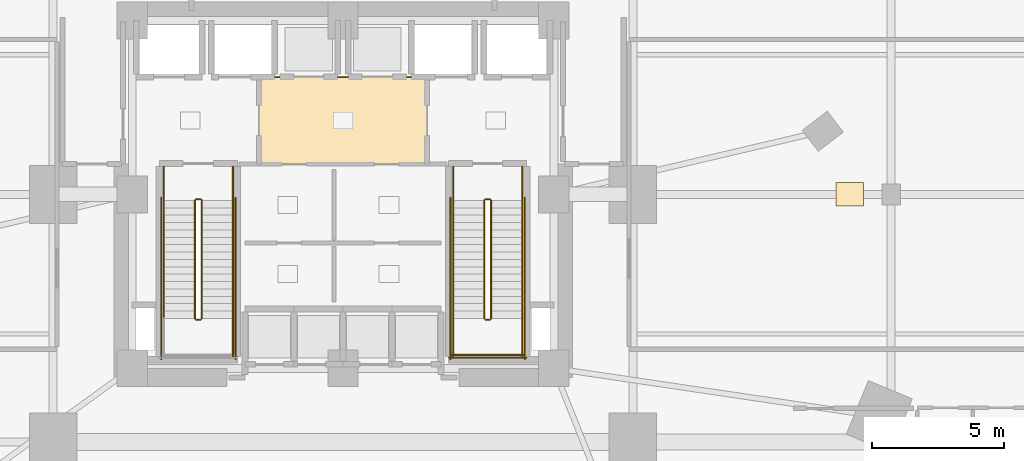
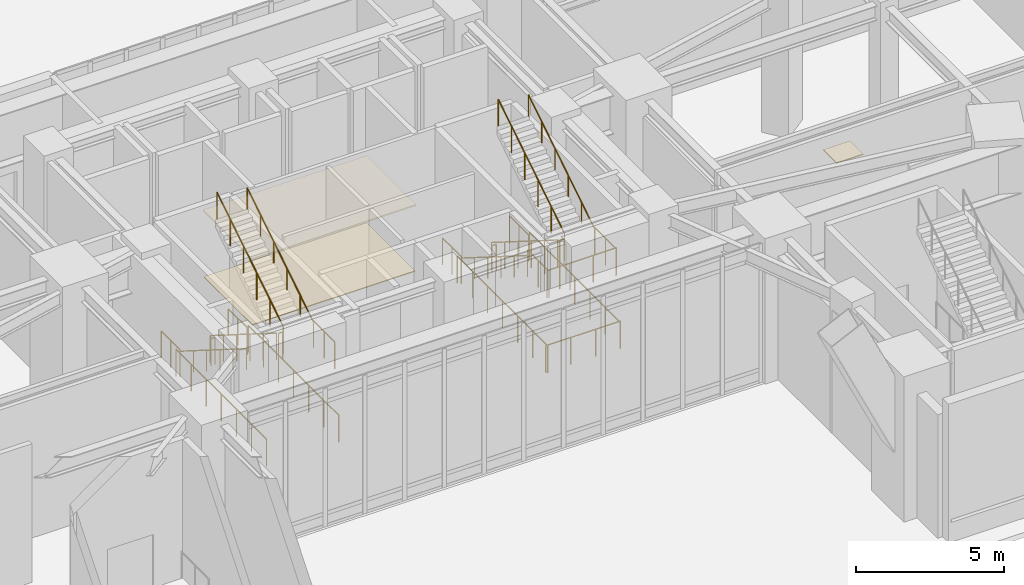
# One storey, part 25 of 27: 25 railings, 3 coverings.
"""IFC4 building model written with IfcOpenShell, lengths in metres."""

from ifc_helpers import new_model, si_unit, direction, frame, origin, origin_2d, place, context, subcontext, project, spatial, rectangle, circle, extrude, material, layer, layer_set, type_object, element, save


model = new_model("IFC4")

# Units and contexts
model_context = context("Model", 3, precision=1e-05, world=origin(), true_north=direction((0.0, 1.0)))
body_context = subcontext(model_context, "Body", "Model", "MODEL_VIEW")
ifc_project = project(units=[si_unit("LENGTHUNIT", "METRE"), si_unit("AREAUNIT", "SQUARE_METRE"), si_unit("VOLUMEUNIT", "CUBIC_METRE"), si_unit("PLANEANGLEUNIT", "RADIAN"), si_unit("MASSUNIT", "GRAM", prefix="KILO")], contexts=[model_context])

# Site, building, storey
site_placement = place(None, origin())
site = spatial("IfcSite", under=ifc_project, at=site_placement, CompositionType="ELEMENT")
building_placement = place(site_placement, origin())
building = spatial("IfcBuilding", under=site, at=building_placement, Name="Ndelora Gate Hotel", CompositionType="ELEMENT")
storey_placement = place(building_placement, origin())
storey = spatial("IfcBuildingStorey", under=building, at=storey_placement, Name="L00", CompositionType="ELEMENT", Elevation=0.0)

# Coverings
ifc_material_1 = material(Name="Perforated Acoustic Gypsum Board", Category="gypsum")
ifc_layer_1 = layer(ifc_material_1, 0.054931640625)
ifc_layer_set_1 = layer_set([ifc_layer_1], Name="Perforated Acoustic Gypsum Board")
covering_type_1 = type_object("IfcCoveringType", Name="COV-CEIL-AC60", PredefinedType="CEILING", material=ifc_layer_set_1)
covering_1_placement = place(storey_placement, frame((0.0, 2.800048828125, 2.72265625), z_axis=(0.0, 0.0, 1.0), x_axis=(1.0, 0.0, 0.0)))
element("IfcCovering", 1, at=covering_1_placement, inside=storey, type_object=covering_type_1, Name="L00 Lift Lobby Acoustic Ceiling", PredefinedType="CEILING", context=body_context, shape_type="SweptSolid", body=[
    extrude(rectangle(XDim=6.39990234375, YDim=3.340087890625, at=origin_2d()), origin(), (0.0, 0.0, 1.0), 0.054931640625),
])
ifc_material_2 = material(Name="Engineered Highland Oak Parquet", Category="wood")
ifc_layer_2 = layer(ifc_material_2, 0.030029296875)
ifc_layer_set_2 = layer_set([ifc_layer_2], Name="Engineered Highland Oak Parquet")
covering_type_2 = type_object("IfcCoveringType", Name="COV-FLR-PARQ", PredefinedType="FLOORING", material=ifc_layer_set_2)
covering_2_placement = place(storey_placement, frame((19.22509765625, 0.0, 0.0), z_axis=(0.0, 0.0, 1.0), x_axis=(1.0, 0.0, 0.0)))
element("IfcCovering", 2, at=covering_2_placement, inside=storey, type_object=covering_type_2, Name="L00 All-Day Highland Brasserie Dining Oak Parquet Flooring", PredefinedType="FLOORING", context=body_context, shape_type="SweptSolid", body=[
    extrude(rectangle(XDim=1.050048828125, YDim=0.89990234375, at=origin_2d()), origin(), (0.0, 0.0, 1.0), 0.030029296875),
])
ifc_material_3 = material(Name="Polished Highland Stone Terrazzo", Category="masonry")
ifc_layer_3 = layer(ifc_material_3, 0.034912109375)
ifc_layer_set_3 = layer_set([ifc_layer_3], Name="Polished Highland Stone Terrazzo")
covering_type_3 = type_object("IfcCoveringType", Name="COV-FLR-TERZ", PredefinedType="FLOORING", material=ifc_layer_set_3)
covering_3_placement = place(storey_placement, frame((0.0, 2.800048828125, 0.0), z_axis=(0.0, 0.0, 1.0), x_axis=(1.0, 0.0, 0.0)))
element("IfcCovering", 3, at=covering_3_placement, inside=storey, type_object=covering_type_3, Name="L00 Terrazzo Concourse Flooring", PredefinedType="FLOORING", context=body_context, shape_type="SweptSolid", body=[
    extrude(rectangle(XDim=6.360107421875, YDim=3.280029296875, at=origin_2d()), origin(), (0.0, 0.0, 1.0), 0.034912109375),
])

# Railings
ifc_material_4 = material(Name="Painted Galvanized Steel Balustrade", Category="steel")
ifc_layer_4 = layer(ifc_material_4, 0.06005859375)
ifc_layer_set_4 = layer_set([ifc_layer_4], Name="Painted Galvanized Steel Balustrade")
railing_type_1 = type_object("IfcRailingType", Name="RL-STAIR-GD", PredefinedType="GUARDRAIL", material=ifc_layer_set_4)
railing_1_placement = place(storey_placement, frame((-5.6201171875, -0.22998046875, 0.176513671875)))
element("IfcRailing", 4, at=railing_1_placement, inside=storey, type_object=railing_type_1, Name="L00 ST4 stair guard 1", PredefinedType="GUARDRAIL", context=body_context, shape_type="SweptSolid", body=[
    extrude(circle(Radius=0.02392578125, at=origin_2d()), frame((0.0, 0.0, 1.10595703125), z_axis=(0.0, -0.845997938375, 0.533186166611), x_axis=(1.0, 0.0, 0.0)), (0.0, 0.0, 1.0), 5.29541015625),
    extrude(circle(Radius=0.02099609375, at=origin_2d()), origin(), (0.0, 0.0, 1.0), 1.081787109375),
    extrude(circle(Radius=0.02099609375, at=origin_2d()), frame((0.0, -0.89599609375, 0.564697265625)), (0.0, 0.0, 1.0), 1.081787109375),
    extrude(circle(Radius=0.02099609375, at=origin_2d()), frame((0.0, -1.7919921875, 1.12939453125)), (0.0, 0.0, 1.0), 1.081787109375),
    extrude(circle(Radius=0.02099609375, at=origin_2d()), frame((0.0, -2.68798828125, 1.694091796875)), (0.0, 0.0, 1.0), 1.081787109375),
    extrude(circle(Radius=0.02099609375, at=origin_2d()), frame((0.0, -3.583984375, 2.2587890625)), (0.0, 0.0, 1.0), 1.081787109375),
    extrude(circle(Radius=0.02099609375, at=origin_2d()), frame((0.0, -4.47998046875, 2.823486328125)), (0.0, 0.0, 1.0), 1.081787109375),
])
railing_2_placement = place(storey_placement, frame((-5.570068359375, -4.760009765625, 3.0)))
element("IfcRailing", 5, at=railing_2_placement, inside=storey, type_object=railing_type_1, Name="L00 ST4 stair guard 2", PredefinedType="GUARDRAIL", context=body_context, shape_type="SweptSolid", body=[
    extrude(circle(Radius=0.02392578125, at=origin_2d()), frame((0.0, 0.0, 1.10595703125), z_axis=(1.0, 0.0, 0.0), x_axis=(0.0, 1.0, 0.0)), (0.0, 0.0, 1.0), 0.16015625),
    extrude(circle(Radius=0.02099609375, at=origin_2d()), origin(), (0.0, 0.0, 1.0), 1.081787109375),
    extrude(circle(Radius=0.02099609375, at=origin_2d()), frame((0.16015625, 0.0, 0.0)), (0.0, 0.0, 1.0), 1.081787109375),
])
railing_3_placement = place(storey_placement, frame((-4.179931640625, -4.7099609375, 3.0)))
element("IfcRailing", 6, at=railing_3_placement, inside=storey, type_object=railing_type_1, Name="L00 ST4 stair guard 4", PredefinedType="GUARDRAIL", context=body_context, shape_type="SweptSolid", body=[
    extrude(circle(Radius=0.02392578125, at=origin_2d()), frame((0.0, 0.0, 1.10595703125), z_axis=(0.0, -1.0, 0.0), x_axis=(1.0, 0.0, 0.0)), (0.0, 0.0, 1.0), 1.43994140625),
    extrude(circle(Radius=0.02099609375, at=origin_2d()), origin(), (0.0, 0.0, 1.0), 1.081787109375),
    extrude(circle(Radius=0.02099609375, at=origin_2d()), frame((0.0, -0.719970703125, 0.0)), (0.0, 0.0, 1.0), 1.081787109375),
    extrude(circle(Radius=0.02099609375, at=origin_2d()), frame((0.0, -1.43994140625, 0.0)), (0.0, 0.0, 1.0), 1.081787109375),
])
railing_4_placement = place(storey_placement, frame((-5.360107421875, -4.7099609375, 3.176513671875)))
element("IfcRailing", 7, at=railing_4_placement, inside=storey, type_object=railing_type_1, Name="L00 ST4 stair guard 6", PredefinedType="GUARDRAIL", context=body_context, shape_type="SweptSolid", body=[
    extrude(circle(Radius=0.02392578125, at=origin_2d()), frame((0.0, 0.0, 1.10595703125), z_axis=(0.0, 0.845997938375, 0.533186166611), x_axis=(-1.0, 0.0, 0.0)), (0.0, 0.0, 1.0), 5.29541015625),
    extrude(circle(Radius=0.02099609375, at=origin_2d()), origin(), (0.0, 0.0, 1.0), 1.081787109375),
    extrude(circle(Radius=0.02099609375, at=origin_2d()), frame((0.0, 0.89599609375, 0.564697265625)), (0.0, 0.0, 1.0), 1.081787109375),
    extrude(circle(Radius=0.02099609375, at=origin_2d()), frame((0.0, 1.7919921875, 1.12939453125)), (0.0, 0.0, 1.0), 1.081787109375),
    extrude(circle(Radius=0.02099609375, at=origin_2d()), frame((0.0, 2.68798828125, 1.694091796875)), (0.0, 0.0, 1.0), 1.081787109375),
    extrude(circle(Radius=0.02099609375, at=origin_2d()), frame((0.0, 3.583984375, 2.2587890625)), (0.0, 0.0, 1.0), 1.081787109375),
    extrude(circle(Radius=0.02099609375, at=origin_2d()), frame((0.0, 4.47998046875, 2.823486328125)), (0.0, 0.0, 1.0), 1.081787109375),
])
railing_5_placement = place(storey_placement, frame((-5.570068359375, -0.179931640625, 0.0)))
element("IfcRailing", 8, at=railing_5_placement, inside=storey, type_object=railing_type_1, Name="L00 ST4 stair guard 7", PredefinedType="GUARDRAIL", context=body_context, shape_type="SweptSolid", body=[
    extrude(circle(Radius=0.02392578125, at=origin_2d()), frame((0.0, 0.0, 1.10595703125), z_axis=(1.0, 0.0, 0.0), x_axis=(0.0, 1.0, 0.0)), (0.0, 0.0, 1.0), 0.16015625),
    extrude(circle(Radius=0.02099609375, at=origin_2d()), origin(), (0.0, 0.0, 1.0), 1.081787109375),
    extrude(circle(Radius=0.02099609375, at=origin_2d()), frame((0.16015625, 0.0, 0.0)), (0.0, 0.0, 1.0), 1.081787109375),
])
for number, where, name in (
    (9, (-6.800048828125, 1.050048828125, 0.0), "L00 ST4 stair guard 8"),
    (10, (-4.179931640625, 1.050048828125, 0.0), "L00 ST4 stair guard 9"),
):
    element("IfcRailing", number, at=place(storey_placement, frame(where)), inside=storey, type_object=railing_type_1, Name=name, PredefinedType="GUARDRAIL", context=body_context, shape_type="SweptSolid", body=[
        extrude(circle(Radius=0.02392578125, at=origin_2d()), frame((0.0, 0.0, 1.10595703125), z_axis=(0.0, -1.0, 0.0), x_axis=(1.0, 0.0, 0.0)), (0.0, 0.0, 1.0), 1.280029296875),
        extrude(circle(Radius=0.02099609375, at=origin_2d()), origin(), (0.0, 0.0, 1.0), 1.081787109375),
        extrude(circle(Radius=0.02099609375, at=origin_2d()), frame((0.0, -0.64013671875, 0.0)), (0.0, 0.0, 1.0), 1.081787109375),
        extrude(circle(Radius=0.02099609375, at=origin_2d()), frame((0.0, -1.280029296875, 0.0)), (0.0, 0.0, 1.0), 1.081787109375),
    ])
for number, where, name in (
    (11, (-6.89990234375, -0.1298828125, 0.0), "L00 ST4 stair guard 10"),
    (12, (-4.080078125, -0.1298828125, 0.0), "L00 ST4 stair guard 11"),
):
    element("IfcRailing", number, at=place(storey_placement, frame(where)), inside=storey, type_object=railing_type_1, Name=name, PredefinedType="GUARDRAIL", context=body_context, shape_type="SweptSolid", body=[
        extrude(circle(Radius=0.02392578125, at=origin_2d()), frame((0.0, 0.0, 1.10595703125), z_axis=(0.0, -1.0, 0.0), x_axis=(1.0, 0.0, 0.0)), (0.0, 0.0, 1.0), 6.1201171875),
        extrude(circle(Radius=0.02099609375, at=origin_2d()), origin(), (0.0, 0.0, 1.0), 1.081787109375),
        extrude(circle(Radius=0.02099609375, at=origin_2d()), frame((0.0, -1.02001953125, 0.0)), (0.0, 0.0, 1.0), 1.081787109375),
        extrude(circle(Radius=0.02099609375, at=origin_2d()), frame((0.0, -2.0400390625, 0.0)), (0.0, 0.0, 1.0), 1.081787109375),
        extrude(circle(Radius=0.02099609375, at=origin_2d()), frame((0.0, -3.06005859375, 0.0)), (0.0, 0.0, 1.0), 1.081787109375),
        extrude(circle(Radius=0.02099609375, at=origin_2d()), frame((0.0, -4.080078125, 0.0)), (0.0, 0.0, 1.0), 1.081787109375),
        extrude(circle(Radius=0.02099609375, at=origin_2d()), frame((0.0, -5.10009765625, 0.0)), (0.0, 0.0, 1.0), 1.081787109375),
        extrude(circle(Radius=0.02099609375, at=origin_2d()), frame((0.0, -6.1201171875, 0.0)), (0.0, 0.0, 1.0), 1.081787109375),
    ])
railing_6_placement = place(storey_placement, frame((5.360107421875, -0.22998046875, 0.176513671875)))
element("IfcRailing", 13, at=railing_6_placement, inside=storey, type_object=railing_type_1, Name="L00 ST5 stair guard 1", PredefinedType="GUARDRAIL", context=body_context, shape_type="SweptSolid", body=[
    extrude(circle(Radius=0.02392578125, at=origin_2d()), frame((0.0, 0.0, 1.10595703125), z_axis=(0.0, -0.845997938375, 0.533186166611), x_axis=(1.0, 0.0, 0.0)), (0.0, 0.0, 1.0), 5.29541015625),
    extrude(circle(Radius=0.02099609375, at=origin_2d()), origin(), (0.0, 0.0, 1.0), 1.081787109375),
    extrude(circle(Radius=0.02099609375, at=origin_2d()), frame((0.0, -0.89599609375, 0.564697265625)), (0.0, 0.0, 1.0), 1.081787109375),
    extrude(circle(Radius=0.02099609375, at=origin_2d()), frame((0.0, -1.7919921875, 1.12939453125)), (0.0, 0.0, 1.0), 1.081787109375),
    extrude(circle(Radius=0.02099609375, at=origin_2d()), frame((0.0, -2.68798828125, 1.694091796875)), (0.0, 0.0, 1.0), 1.081787109375),
    extrude(circle(Radius=0.02099609375, at=origin_2d()), frame((0.0, -3.583984375, 2.2587890625)), (0.0, 0.0, 1.0), 1.081787109375),
    extrude(circle(Radius=0.02099609375, at=origin_2d()), frame((0.0, -4.47998046875, 2.823486328125)), (0.0, 0.0, 1.0), 1.081787109375),
])
railing_7_placement = place(storey_placement, frame((5.409912109375, -4.760009765625, 3.0)))
element("IfcRailing", 14, at=railing_7_placement, inside=storey, type_object=railing_type_1, Name="L00 ST5 stair guard 2", PredefinedType="GUARDRAIL", context=body_context, shape_type="SweptSolid", body=[
    extrude(circle(Radius=0.02392578125, at=origin_2d()), frame((0.0, 0.0, 1.10595703125), z_axis=(1.0, 0.0, 0.0), x_axis=(0.0, 1.0, 0.0)), (0.0, 0.0, 1.0), 0.16015625),
    extrude(circle(Radius=0.02099609375, at=origin_2d()), origin(), (0.0, 0.0, 1.0), 1.081787109375),
    extrude(circle(Radius=0.02099609375, at=origin_2d()), frame((0.16015625, 0.0, 0.0)), (0.0, 0.0, 1.0), 1.081787109375),
])
for number, where, name in (
    (15, (4.179931640625, -4.7099609375, 3.0), "L00 ST5 stair guard 3"),
    (16, (6.800048828125, -4.7099609375, 3.0), "L00 ST5 stair guard 4"),
):
    element("IfcRailing", number, at=place(storey_placement, frame(where)), inside=storey, type_object=railing_type_1, Name=name, PredefinedType="GUARDRAIL", context=body_context, shape_type="SweptSolid", body=[
        extrude(circle(Radius=0.02392578125, at=origin_2d()), frame((0.0, 0.0, 1.10595703125), z_axis=(0.0, -1.0, 0.0), x_axis=(1.0, 0.0, 0.0)), (0.0, 0.0, 1.0), 1.43994140625),
        extrude(circle(Radius=0.02099609375, at=origin_2d()), origin(), (0.0, 0.0, 1.0), 1.081787109375),
        extrude(circle(Radius=0.02099609375, at=origin_2d()), frame((0.0, -0.719970703125, 0.0)), (0.0, 0.0, 1.0), 1.081787109375),
        extrude(circle(Radius=0.02099609375, at=origin_2d()), frame((0.0, -1.43994140625, 0.0)), (0.0, 0.0, 1.0), 1.081787109375),
    ])
railing_8_placement = place(storey_placement, frame((4.1298828125, -6.10009765625, 3.0)))
element("IfcRailing", 17, at=railing_8_placement, inside=storey, type_object=railing_type_1, Name="L00 ST5 stair guard 5", PredefinedType="GUARDRAIL", context=body_context, shape_type="SweptSolid", body=[
    extrude(circle(Radius=0.02392578125, at=origin_2d()), frame((0.0, 0.0, 1.10595703125), z_axis=(1.0, 0.0, 0.0), x_axis=(0.0, 1.0, 0.0)), (0.0, 0.0, 1.0), 2.72021484375),
    extrude(circle(Radius=0.02099609375, at=origin_2d()), origin(), (0.0, 0.0, 1.0), 1.081787109375),
    extrude(circle(Radius=0.02099609375, at=origin_2d()), frame((0.90673828125, 0.0, 0.0)), (0.0, 0.0, 1.0), 1.081787109375),
    extrude(circle(Radius=0.02099609375, at=origin_2d()), frame((1.8134765625, 0.0, 0.0)), (0.0, 0.0, 1.0), 1.081787109375),
    extrude(circle(Radius=0.02099609375, at=origin_2d()), frame((2.72021484375, 0.0, 0.0)), (0.0, 0.0, 1.0), 1.081787109375),
])
railing_9_placement = place(storey_placement, frame((5.6201171875, -4.7099609375, 3.176513671875)))
element("IfcRailing", 18, at=railing_9_placement, inside=storey, type_object=railing_type_1, Name="L00 ST5 stair guard 6", PredefinedType="GUARDRAIL", context=body_context, shape_type="SweptSolid", body=[
    extrude(circle(Radius=0.02392578125, at=origin_2d()), frame((0.0, 0.0, 1.10595703125), z_axis=(0.0, 0.845997938375, 0.533186166611), x_axis=(-1.0, 0.0, 0.0)), (0.0, 0.0, 1.0), 5.29541015625),
    extrude(circle(Radius=0.02099609375, at=origin_2d()), origin(), (0.0, 0.0, 1.0), 1.081787109375),
    extrude(circle(Radius=0.02099609375, at=origin_2d()), frame((0.0, 0.89599609375, 0.564697265625)), (0.0, 0.0, 1.0), 1.081787109375),
    extrude(circle(Radius=0.02099609375, at=origin_2d()), frame((0.0, 1.7919921875, 1.12939453125)), (0.0, 0.0, 1.0), 1.081787109375),
    extrude(circle(Radius=0.02099609375, at=origin_2d()), frame((0.0, 2.68798828125, 1.694091796875)), (0.0, 0.0, 1.0), 1.081787109375),
    extrude(circle(Radius=0.02099609375, at=origin_2d()), frame((0.0, 3.583984375, 2.2587890625)), (0.0, 0.0, 1.0), 1.081787109375),
    extrude(circle(Radius=0.02099609375, at=origin_2d()), frame((0.0, 4.47998046875, 2.823486328125)), (0.0, 0.0, 1.0), 1.081787109375),
])
railing_10_placement = place(storey_placement, frame((5.409912109375, -0.179931640625, 0.0)))
element("IfcRailing", 19, at=railing_10_placement, inside=storey, type_object=railing_type_1, Name="L00 ST5 stair guard 7", PredefinedType="GUARDRAIL", context=body_context, shape_type="SweptSolid", body=[
    extrude(circle(Radius=0.02392578125, at=origin_2d()), frame((0.0, 0.0, 1.10595703125), z_axis=(1.0, 0.0, 0.0), x_axis=(0.0, 1.0, 0.0)), (0.0, 0.0, 1.0), 0.16015625),
    extrude(circle(Radius=0.02099609375, at=origin_2d()), origin(), (0.0, 0.0, 1.0), 1.081787109375),
    extrude(circle(Radius=0.02099609375, at=origin_2d()), frame((0.16015625, 0.0, 0.0)), (0.0, 0.0, 1.0), 1.081787109375),
])
for number, where, name in (
    (20, (4.179931640625, 1.050048828125, 0.0), "L00 ST5 stair guard 8"),
    (21, (6.800048828125, 1.050048828125, 0.0), "L00 ST5 stair guard 9"),
):
    element("IfcRailing", number, at=place(storey_placement, frame(where)), inside=storey, type_object=railing_type_1, Name=name, PredefinedType="GUARDRAIL", context=body_context, shape_type="SweptSolid", body=[
        extrude(circle(Radius=0.02392578125, at=origin_2d()), frame((0.0, 0.0, 1.10595703125), z_axis=(0.0, -1.0, 0.0), x_axis=(1.0, 0.0, 0.0)), (0.0, 0.0, 1.0), 1.280029296875),
        extrude(circle(Radius=0.02099609375, at=origin_2d()), origin(), (0.0, 0.0, 1.0), 1.081787109375),
        extrude(circle(Radius=0.02099609375, at=origin_2d()), frame((0.0, -0.64013671875, 0.0)), (0.0, 0.0, 1.0), 1.081787109375),
        extrude(circle(Radius=0.02099609375, at=origin_2d()), frame((0.0, -1.280029296875, 0.0)), (0.0, 0.0, 1.0), 1.081787109375),
    ])
for number, where, name in (
    (22, (4.080078125, -0.1298828125, 0.0), "L00 ST5 stair guard 10"),
    (23, (6.89990234375, -0.1298828125, 0.0), "L00 ST5 stair guard 11"),
):
    element("IfcRailing", number, at=place(storey_placement, frame(where)), inside=storey, type_object=railing_type_1, Name=name, PredefinedType="GUARDRAIL", context=body_context, shape_type="SweptSolid", body=[
        extrude(circle(Radius=0.02392578125, at=origin_2d()), frame((0.0, 0.0, 1.10595703125), z_axis=(0.0, -1.0, 0.0), x_axis=(1.0, 0.0, 0.0)), (0.0, 0.0, 1.0), 6.1201171875),
        extrude(circle(Radius=0.02099609375, at=origin_2d()), origin(), (0.0, 0.0, 1.0), 1.081787109375),
        extrude(circle(Radius=0.02099609375, at=origin_2d()), frame((0.0, -1.02001953125, 0.0)), (0.0, 0.0, 1.0), 1.081787109375),
        extrude(circle(Radius=0.02099609375, at=origin_2d()), frame((0.0, -2.0400390625, 0.0)), (0.0, 0.0, 1.0), 1.081787109375),
        extrude(circle(Radius=0.02099609375, at=origin_2d()), frame((0.0, -3.06005859375, 0.0)), (0.0, 0.0, 1.0), 1.081787109375),
        extrude(circle(Radius=0.02099609375, at=origin_2d()), frame((0.0, -4.080078125, 0.0)), (0.0, 0.0, 1.0), 1.081787109375),
        extrude(circle(Radius=0.02099609375, at=origin_2d()), frame((0.0, -5.10009765625, 0.0)), (0.0, 0.0, 1.0), 1.081787109375),
        extrude(circle(Radius=0.02099609375, at=origin_2d()), frame((0.0, -6.1201171875, 0.0)), (0.0, 0.0, 1.0), 1.081787109375),
    ])
railing_11_placement = place(storey_placement, frame((4.030029296875, -6.199951171875, 0.0)))
element("IfcRailing", 24, at=railing_11_placement, inside=storey, type_object=railing_type_1, Name="L00 ST5 stair guard 12", PredefinedType="GUARDRAIL", context=body_context, shape_type="SweptSolid", body=[
    extrude(circle(Radius=0.02392578125, at=origin_2d()), frame((0.0, 0.0, 1.10595703125), z_axis=(1.0, 0.0, 0.0), x_axis=(0.0, 1.0, 0.0)), (0.0, 0.0, 1.0), 2.919921875),
    extrude(circle(Radius=0.02099609375, at=origin_2d()), origin(), (0.0, 0.0, 1.0), 1.081787109375),
    extrude(circle(Radius=0.02099609375, at=origin_2d()), frame((0.973388671875, 0.0, 0.0)), (0.0, 0.0, 1.0), 1.081787109375),
    extrude(circle(Radius=0.02099609375, at=origin_2d()), frame((1.946533203125, 0.0, 0.0)), (0.0, 0.0, 1.0), 1.081787109375),
    extrude(circle(Radius=0.02099609375, at=origin_2d()), frame((2.919921875, 0.0, 0.0)), (0.0, 0.0, 1.0), 1.081787109375),
])
ifc_material_5 = material(Name="Brushed Stainless Steel 316", Category="steel")
ifc_layer_5 = layer(ifc_material_5, 0.050048828125)
ifc_layer_set_5 = layer_set([ifc_layer_5], Name="Brushed Stainless Steel 316")
railing_type_2 = type_object("IfcRailingType", Name="RL-STAIR-HR", PredefinedType="HANDRAIL", material=ifc_layer_set_5)
railing_12_placement = place(storey_placement, frame((-6.800048828125, -0.22998046875, 0.176513671875)))
element("IfcRailing", 25, at=railing_12_placement, inside=storey, type_object=railing_type_2, Name="L00 ST4 stair handrail 1", PredefinedType="HANDRAIL", context=body_context, shape_type="SweptSolid", body=[
    extrude(circle(Radius=0.02392578125, at=origin_2d()), frame((0.0, 0.0, 0.8759765625), z_axis=(0.0, -0.845997938375, 0.533186166611), x_axis=(1.0, 0.0, 0.0)), (0.0, 0.0, 1.0), 5.29541015625),
    extrude(circle(Radius=0.02099609375, at=origin_2d()), origin(), (0.0, 0.0, 1.0), 0.851806640625),
    extrude(circle(Radius=0.02099609375, at=origin_2d()), frame((0.0, -0.89599609375, 0.564697265625)), (0.0, 0.0, 1.0), 0.851806640625),
    extrude(circle(Radius=0.02099609375, at=origin_2d()), frame((0.0, -1.7919921875, 1.12939453125)), (0.0, 0.0, 1.0), 0.851806640625),
    extrude(circle(Radius=0.02099609375, at=origin_2d()), frame((0.0, -2.68798828125, 1.694091796875)), (0.0, 0.0, 1.0), 0.851806640625),
    extrude(circle(Radius=0.02099609375, at=origin_2d()), frame((0.0, -3.583984375, 2.2587890625)), (0.0, 0.0, 1.0), 0.851806640625),
    extrude(circle(Radius=0.02099609375, at=origin_2d()), frame((0.0, -4.47998046875, 2.823486328125)), (0.0, 0.0, 1.0), 0.851806640625),
])
railing_13_placement = place(storey_placement, frame((-4.179931640625, -4.7099609375, 3.176513671875)))
element("IfcRailing", 26, at=railing_13_placement, inside=storey, type_object=railing_type_2, Name="L00 ST4 stair handrail 2", PredefinedType="HANDRAIL", context=body_context, shape_type="SweptSolid", body=[
    extrude(circle(Radius=0.02392578125, at=origin_2d()), frame((0.0, 0.0, 0.8759765625), z_axis=(0.0, 0.845997938375, 0.533186166611), x_axis=(-1.0, 0.0, 0.0)), (0.0, 0.0, 1.0), 5.29541015625),
    extrude(circle(Radius=0.02099609375, at=origin_2d()), origin(), (0.0, 0.0, 1.0), 0.851806640625),
    extrude(circle(Radius=0.02099609375, at=origin_2d()), frame((0.0, 0.89599609375, 0.564697265625)), (0.0, 0.0, 1.0), 0.851806640625),
    extrude(circle(Radius=0.02099609375, at=origin_2d()), frame((0.0, 1.7919921875, 1.12939453125)), (0.0, 0.0, 1.0), 0.851806640625),
    extrude(circle(Radius=0.02099609375, at=origin_2d()), frame((0.0, 2.68798828125, 1.694091796875)), (0.0, 0.0, 1.0), 0.851806640625),
    extrude(circle(Radius=0.02099609375, at=origin_2d()), frame((0.0, 3.583984375, 2.2587890625)), (0.0, 0.0, 1.0), 0.851806640625),
    extrude(circle(Radius=0.02099609375, at=origin_2d()), frame((0.0, 4.47998046875, 2.823486328125)), (0.0, 0.0, 1.0), 0.851806640625),
])
railing_14_placement = place(storey_placement, frame((4.179931640625, -0.22998046875, 0.176513671875)))
element("IfcRailing", 27, at=railing_14_placement, inside=storey, type_object=railing_type_2, Name="L00 ST5 stair handrail 1", PredefinedType="HANDRAIL", context=body_context, shape_type="SweptSolid", body=[
    extrude(circle(Radius=0.02392578125, at=origin_2d()), frame((0.0, 0.0, 0.8759765625), z_axis=(0.0, -0.845997938375, 0.533186166611), x_axis=(1.0, 0.0, 0.0)), (0.0, 0.0, 1.0), 5.29541015625),
    extrude(circle(Radius=0.02099609375, at=origin_2d()), origin(), (0.0, 0.0, 1.0), 0.851806640625),
    extrude(circle(Radius=0.02099609375, at=origin_2d()), frame((0.0, -0.89599609375, 0.564697265625)), (0.0, 0.0, 1.0), 0.851806640625),
    extrude(circle(Radius=0.02099609375, at=origin_2d()), frame((0.0, -1.7919921875, 1.12939453125)), (0.0, 0.0, 1.0), 0.851806640625),
    extrude(circle(Radius=0.02099609375, at=origin_2d()), frame((0.0, -2.68798828125, 1.694091796875)), (0.0, 0.0, 1.0), 0.851806640625),
    extrude(circle(Radius=0.02099609375, at=origin_2d()), frame((0.0, -3.583984375, 2.2587890625)), (0.0, 0.0, 1.0), 0.851806640625),
    extrude(circle(Radius=0.02099609375, at=origin_2d()), frame((0.0, -4.47998046875, 2.823486328125)), (0.0, 0.0, 1.0), 0.851806640625),
])
railing_15_placement = place(storey_placement, frame((6.800048828125, -4.7099609375, 3.176513671875)))
element("IfcRailing", 28, at=railing_15_placement, inside=storey, type_object=railing_type_2, Name="L00 ST5 stair handrail 2", PredefinedType="HANDRAIL", context=body_context, shape_type="SweptSolid", body=[
    extrude(circle(Radius=0.02392578125, at=origin_2d()), frame((0.0, 0.0, 0.8759765625), z_axis=(0.0, 0.845997938375, 0.533186166611), x_axis=(-1.0, 0.0, 0.0)), (0.0, 0.0, 1.0), 5.29541015625),
    extrude(circle(Radius=0.02099609375, at=origin_2d()), origin(), (0.0, 0.0, 1.0), 0.851806640625),
    extrude(circle(Radius=0.02099609375, at=origin_2d()), frame((0.0, 0.89599609375, 0.564697265625)), (0.0, 0.0, 1.0), 0.851806640625),
    extrude(circle(Radius=0.02099609375, at=origin_2d()), frame((0.0, 1.7919921875, 1.12939453125)), (0.0, 0.0, 1.0), 0.851806640625),
    extrude(circle(Radius=0.02099609375, at=origin_2d()), frame((0.0, 2.68798828125, 1.694091796875)), (0.0, 0.0, 1.0), 0.851806640625),
    extrude(circle(Radius=0.02099609375, at=origin_2d()), frame((0.0, 3.583984375, 2.2587890625)), (0.0, 0.0, 1.0), 0.851806640625),
    extrude(circle(Radius=0.02099609375, at=origin_2d()), frame((0.0, 4.47998046875, 2.823486328125)), (0.0, 0.0, 1.0), 0.851806640625),
])

save(model, "model.ifc")
